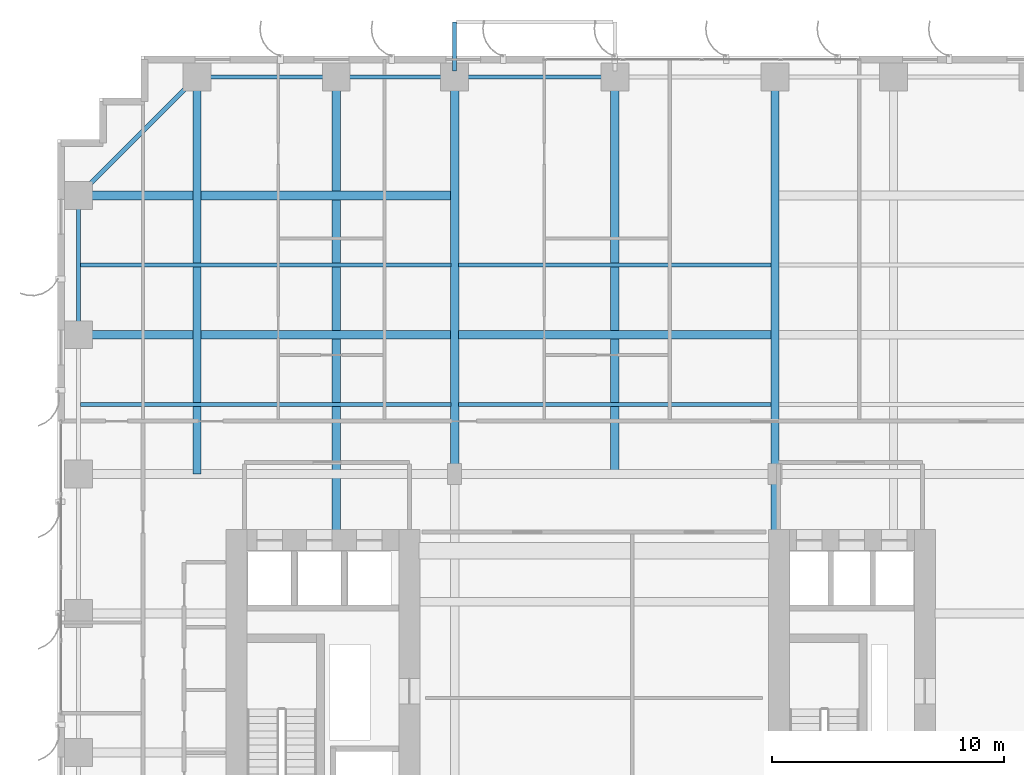
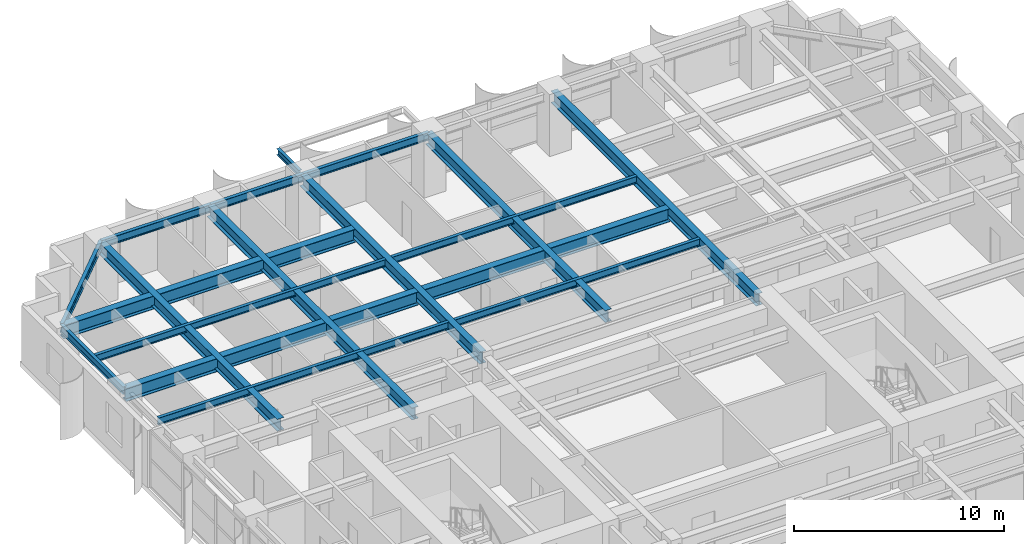
# One storey, part 9 of 22: 18 beams.
"""IFC4 building model written with IfcOpenShell, lengths in metres."""

from ifc_helpers import new_model, si_unit, direction, frame, origin, origin_2d, place, context, subcontext, project, spatial, i_section, extrude, source, transform, mapped, material, material_profile, profile_set, type_object, element, save


model = new_model("IFC4")

# Units and contexts
model_context = context("Model", 3, precision=1e-05, world=origin(), true_north=direction((0.0, 1.0)))
body_context = subcontext(model_context, "Body", "Model", "MODEL_VIEW")
ifc_project = project(units=[si_unit("LENGTHUNIT", "METRE"), si_unit("AREAUNIT", "SQUARE_METRE"), si_unit("VOLUMEUNIT", "CUBIC_METRE"), si_unit("PLANEANGLEUNIT", "RADIAN"), si_unit("MASSUNIT", "GRAM", prefix="KILO")], contexts=[model_context])

# Site, building, storey
site_placement = place(None, origin())
site = spatial("IfcSite", under=ifc_project, at=site_placement, CompositionType="ELEMENT")
building_placement = place(site_placement, origin())
building = spatial("IfcBuilding", under=site, at=building_placement, Name="Khoralis Quay Care Tower", CompositionType="ELEMENT")
storey_placement = place(building_placement, frame((0.0, 0.0, 44.10009765625)))
storey = spatial("IfcBuildingStorey", under=building, at=storey_placement, Name="L11", CompositionType="ELEMENT", Elevation=44.10009765625)

# Beams
ifc_material = material(Name="Steel S355", Category="steel")
ifc_material_profile_1 = material_profile(ifc_material, i_section(OverallWidth=0.18994140625, OverallDepth=0.449951171875, WebThickness=0.009521484375, FlangeThickness=0.0146484375, FilletRadius=0.02099609375, at=origin_2d()), Name="Steel S355")
ifc_profile_set_1 = profile_set([ifc_material_profile_1], Name="Steel S355")
beam_type_1 = type_object("IfcBeamType", Name="BM-IPE450", PredefinedType="SPANDREL", material=ifc_profile_set_1)
shared_shape_1 = source(origin(), body_context, "Body", "SweptSolid", [
    extrude(i_section(OverallWidth=0.18994140625, OverallDepth=0.449951171875, WebThickness=0.009521484375, FlangeThickness=0.0146484375, FilletRadius=0.02099609375, at=origin_2d()), origin(), (0.0, 0.0, 1.0), 6.0),
])
for number, where, z_axis, x_axis, name in (
    (1, (6.0, 47.10009765625, 3.094970703125), (1.0, 0.0, 0.0), (0.0, 1.0, 0.0), "BM-TSP-L11-07"),
    (2, (0.89990234375, 36.0, 3.094970703125), (0.0, 1.0, 0.0), (-1.0, 0.0, 0.0), "BM-TSP-L11-18"),
):
    element("IfcBeam", number, at=place(storey_placement, frame(where, z_axis=z_axis, x_axis=x_axis)), inside=storey, type_object=beam_type_1, Name=name, PredefinedType="SPANDREL", context=body_context, shape_type="MappedRepresentation", body=[
        mapped(shared_shape_1, transform((0.0, 0.0, 0.0), scale=1.0)),
    ])
shared_shape_2 = source(origin(), body_context, "Body", "SweptSolid", [
    extrude(i_section(OverallWidth=0.18994140625, OverallDepth=0.449951171875, WebThickness=0.009521484375, FlangeThickness=0.0146484375, FilletRadius=0.02099609375, at=origin_2d()), origin(), (0.0, 0.0, 1.0), 5.10009765625),
])
beam_1_placement = place(storey_placement, frame((12.0, 47.10009765625, 3.094970703125), z_axis=(1.0, 0.0, 0.0), x_axis=(0.0, 1.0, 0.0)))
element("IfcBeam", 3, at=beam_1_placement, inside=storey, type_object=beam_type_1, Name="BM-TSP-L11-08", PredefinedType="SPANDREL", context=body_context, shape_type="MappedRepresentation", body=[
    mapped(shared_shape_2, transform((0.0, 0.0, 0.0), scale=1.0)),
])
shared_shape_3 = source(origin(), body_context, "Body", "SweptSolid", [
    extrude(i_section(OverallWidth=0.18994140625, OverallDepth=0.449951171875, WebThickness=0.009521484375, FlangeThickness=0.0146484375, FilletRadius=0.02099609375, at=origin_2d()), origin(), (0.0, 0.0, 1.0), 6.89990234375),
])
beam_2_placement = place(storey_placement, frame((17.10009765625, 47.10009765625, 3.094970703125), z_axis=(1.0, 0.0, 0.0), x_axis=(0.0, 1.0, 0.0)))
element("IfcBeam", 4, at=beam_2_placement, inside=storey, type_object=beam_type_1, Name="BM-TSP-L11-09", PredefinedType="SPANDREL", context=body_context, shape_type="MappedRepresentation", body=[
    mapped(shared_shape_3, transform((0.0, 0.0, 0.0), scale=1.0)),
])
shared_shape_4 = source(origin(), body_context, "Body", "SweptSolid", [
    extrude(i_section(OverallWidth=0.18994140625, OverallDepth=0.449951171875, WebThickness=0.009521484375, FlangeThickness=0.0146484375, FilletRadius=0.02099609375, at=origin_2d()), origin(), (0.0, 0.0, 1.0), 7.212646484375),
])
beam_3_placement = place(storey_placement, frame((6.0, 47.10009765625, 3.094970703125), z_axis=(-0.707106781187, -0.707106781187, 0.0), x_axis=(0.707106781187, -0.707106781187, 0.0)))
element("IfcBeam", 5, at=beam_3_placement, inside=storey, type_object=beam_type_1, Name="BM-TCR-L11-27", PredefinedType="SPANDREL", context=body_context, shape_type="MappedRepresentation", body=[
    mapped(shared_shape_4, transform((0.0, 0.0, 0.0), scale=1.0)),
])
ifc_material_profile_2 = material_profile(ifc_material, i_section(OverallWidth=0.381103515625, OverallDepth=0.77294921875, WebThickness=0.0166015625, FlangeThickness=0.027587890625, FilletRadius=0.02197265625, at=origin_2d()), Name="Steel S355")
ifc_profile_set_2 = profile_set([ifc_material_profile_2], Name="Steel S355")
beam_type_2 = type_object("IfcBeamType", Name="BM-W760X257", PredefinedType="BEAM", material=ifc_profile_set_2)
shared_shape_5 = source(origin(), body_context, "Body", "SweptSolid", [
    extrude(i_section(OverallWidth=0.381103515625, OverallDepth=0.77294921875, WebThickness=0.0166015625, FlangeThickness=0.027587890625, FilletRadius=0.02197265625, at=origin_2d()), origin(), (0.0, 0.0, 1.0), 16.03466796875),
])
for number, where, z_axis, x_axis, name in (
    (6, (0.89990234375, 36.0, 2.933349609375), (1.0, 0.0, 0.0), (0.0, 1.0, 0.0), "BM-TGXW-L11-360"),
    (7, (0.89990234375, 42.0, 2.933349609375), (1.0, 0.0, 0.0), (0.0, 1.0, 0.0), "BM-TGXW-L11-420"),
):
    element("IfcBeam", number, at=place(storey_placement, frame(where, z_axis=z_axis, x_axis=x_axis)), inside=storey, type_object=beam_type_2, Name=name, PredefinedType="BEAM", context=body_context, shape_type="MappedRepresentation", body=[
        mapped(shared_shape_5, transform((0.0, 0.0, 0.0), scale=1.0)),
    ])
shared_shape_6 = source(origin(), body_context, "Body", "SweptSolid", [
    extrude(i_section(OverallWidth=0.381103515625, OverallDepth=0.77294921875, WebThickness=0.0166015625, FlangeThickness=0.027587890625, FilletRadius=0.02197265625, at=origin_2d()), origin(), (0.0, 0.0, 1.0), 13.46923828125),
])
beam_4_placement = place(storey_placement, frame((17.265380859375, 36.0, 2.933349609375), z_axis=(1.0, 0.0, 0.0), x_axis=(0.0, 1.0, 0.0)))
element("IfcBeam", 8, at=beam_4_placement, inside=storey, type_object=beam_type_2, Name="BM-TGCC-L11-360", PredefinedType="BEAM", context=body_context, shape_type="MappedRepresentation", body=[
    mapped(shared_shape_6, transform((0.0, 0.0, 0.0), scale=1.0)),
])
ifc_material_profile_3 = material_profile(ifc_material, i_section(OverallWidth=0.35498046875, OverallDepth=0.695068359375, WebThickness=0.015380859375, FlangeThickness=0.02490234375, FilletRadius=0.02001953125, at=origin_2d()), Name="Steel S355")
ifc_profile_set_3 = profile_set([ifc_material_profile_3], Name="Steel S355")
beam_type_3 = type_object("IfcBeamType", Name="BM-W690X217", PredefinedType="BEAM", material=ifc_profile_set_3)
shared_shape_7 = source(origin(), body_context, "Body", "SweptSolid", [
    extrude(i_section(OverallWidth=0.35498046875, OverallDepth=0.695068359375, WebThickness=0.015380859375, FlangeThickness=0.02490234375, FilletRadius=0.02001953125, at=origin_2d()), origin(), (0.0, 0.0, 1.0), 17.10009765625),
])
for number, where, z_axis, x_axis, name in (
    (9, (6.0, 30.0, 2.972412109375), (0.0, 1.0, 0.0), (-1.0, 0.0, 0.0), "BM-TGYN-L11-60"),
    (10, (17.10009765625, 30.0, 2.972412109375), (0.0, 1.0, 0.0), (-1.0, 0.0, 0.0), "BM-TGYN-L11-171"),
    (11, (24.0, 30.0, 2.972412109375), (0.0, 1.0, 0.0), (-1.0, 0.0, 0.0), "BM-TGYN-L11-240"),
):
    element("IfcBeam", number, at=place(storey_placement, frame(where, z_axis=z_axis, x_axis=x_axis)), inside=storey, type_object=beam_type_3, Name=name, PredefinedType="BEAM", context=body_context, shape_type="MappedRepresentation", body=[
        mapped(shared_shape_7, transform((0.0, 0.0, 0.0), scale=1.0)),
    ])
shared_shape_8 = source(origin(), body_context, "Body", "SweptSolid", [
    extrude(i_section(OverallWidth=0.35498046875, OverallDepth=0.695068359375, WebThickness=0.015380859375, FlangeThickness=0.02490234375, FilletRadius=0.02001953125, at=origin_2d()), origin(), (0.0, 0.0, 1.0), 19.502197265625),
])
for number, where, z_axis, x_axis, name in (
    (12, (12.0, 27.597900390625, 2.972412109375), (0.0, 1.0, 0.0), (-1.0, 0.0, 0.0), "BM-TGYN-L11-120"),
    (13, (30.89990234375, 27.597900390625, 2.972412109375), (0.0, 1.0, 0.0), (-1.0, 0.0, 0.0), "BM-TGYN-L11-309"),
):
    element("IfcBeam", number, at=place(storey_placement, frame(where, z_axis=z_axis, x_axis=x_axis)), inside=storey, type_object=beam_type_3, Name=name, PredefinedType="BEAM", context=body_context, shape_type="MappedRepresentation", body=[
        mapped(shared_shape_8, transform((0.0, 0.0, 0.0), scale=1.0)),
    ])
ifc_material_profile_4 = material_profile(ifc_material, i_section(OverallWidth=0.177978515625, OverallDepth=0.406982421875, WebThickness=0.0078125, FlangeThickness=0.0126953125, FilletRadius=0.012939453125, at=origin_2d()), Name="Steel S355")
ifc_profile_set_4 = profile_set([ifc_material_profile_4], Name="Steel S355")
beam_type_4 = type_object("IfcBeamType", Name="BM-W410X60", PredefinedType="JOIST", material=ifc_profile_set_4)
shared_shape_9 = source(origin(), body_context, "Body", "SweptSolid", [
    extrude(i_section(OverallWidth=0.177978515625, OverallDepth=0.406982421875, WebThickness=0.0078125, FlangeThickness=0.0126953125, FilletRadius=0.012939453125, at=origin_2d()), origin(), (0.0, 0.0, 1.0), 15.95361328125),
])
for number, where, z_axis, x_axis, name in (
    (14, (0.98095703125, 33.0, 3.116455078125), (1.0, 0.0, 0.0), (0.0, 1.0, 0.0), "BM-TJS-L11-32"),
    (15, (0.98095703125, 39.0, 3.116455078125), (1.0, 0.0, 0.0), (0.0, 1.0, 0.0), "BM-TJS-L11-35"),
):
    element("IfcBeam", number, at=place(storey_placement, frame(where, z_axis=z_axis, x_axis=x_axis)), inside=storey, type_object=beam_type_4, Name=name, PredefinedType="JOIST", context=body_context, shape_type="MappedRepresentation", body=[
        mapped(shared_shape_9, transform((0.0, 0.0, 0.0), scale=1.0)),
    ])
shared_shape_10 = source(origin(), body_context, "Body", "SweptSolid", [
    extrude(i_section(OverallWidth=0.177978515625, OverallDepth=0.406982421875, WebThickness=0.0078125, FlangeThickness=0.0126953125, FilletRadius=0.012939453125, at=origin_2d()), origin(), (0.0, 0.0, 1.0), 13.46923828125),
])
for number, where, z_axis, x_axis, name in (
    (16, (17.265380859375, 33.0, 3.116455078125), (1.0, 0.0, 0.0), (0.0, 1.0, 0.0), "BM-TJS-L11-34"),
    (17, (17.265380859375, 39.0, 3.116455078125), (1.0, 0.0, 0.0), (0.0, 1.0, 0.0), "BM-TJS-L11-37"),
):
    element("IfcBeam", number, at=place(storey_placement, frame(where, z_axis=z_axis, x_axis=x_axis)), inside=storey, type_object=beam_type_4, Name=name, PredefinedType="JOIST", context=body_context, shape_type="MappedRepresentation", body=[
        mapped(shared_shape_10, transform((0.0, 0.0, 0.0), scale=1.0)),
    ])
ifc_material_profile_5 = material_profile(ifc_material, i_section(OverallWidth=0.169921875, OverallDepth=0.360107421875, WebThickness=0.008056640625, FlangeThickness=0.0126953125, FilletRadius=0.01806640625, at=origin_2d()), Name="Steel S355")
ifc_profile_set_5 = profile_set([ifc_material_profile_5], Name="Steel S355")
beam_type_5 = type_object("IfcBeamType", Name="BM-IPE360", PredefinedType="SPANDREL", material=ifc_profile_set_5)
shared_shape_11 = source(origin(), body_context, "Body", "SweptSolid", [
    extrude(i_section(OverallWidth=0.169921875, OverallDepth=0.360107421875, WebThickness=0.008056640625, FlangeThickness=0.0126953125, FilletRadius=0.01806640625, at=origin_2d()), origin(), (0.0, 0.0, 1.0), 2.119873046875),
])
beam_5_placement = place(storey_placement, frame((17.10009765625, 47.35009765625, 3.143798828125), z_axis=(0.0, 1.0, 0.0), x_axis=(-1.0, 0.0, 0.0)))
element("IfcBeam", 18, at=beam_5_placement, inside=storey, type_object=beam_type_5, Name="L12 Balcony Cantilever Outrigger Beam 1", PredefinedType="SPANDREL", context=body_context, shape_type="MappedRepresentation", body=[
    mapped(shared_shape_11, transform((0.0, 0.0, 0.0), scale=1.0)),
])

save(model, "model.ifc")
